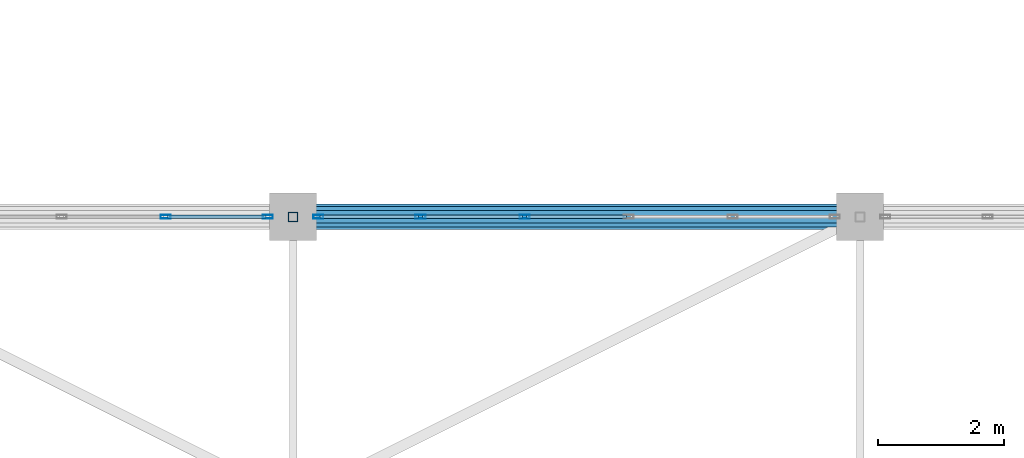
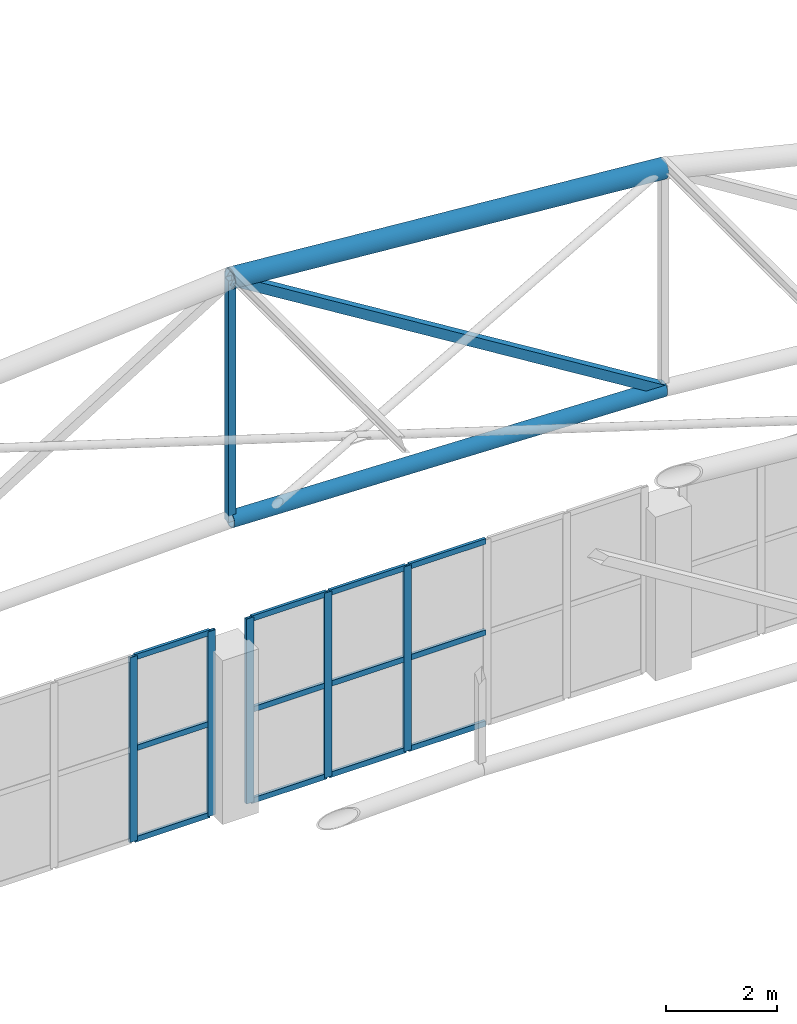
# One storey, part 110 of 167: 21 members, 2 elements without a shape of their own.
"""IFC4 building model written with IfcOpenShell, lengths in metres."""

from ifc_helpers import new_model, si_unit, direction, frame, origin, origin_2d, place, context, subcontext, project, spatial, hollow_rectangle, hollow_circle, extrude, material, layer, layer_set, material_profile, profile_set, type_object, element, aggregate, save


model = new_model("IFC4")

# Units and contexts
model_context = context("Model", 3, precision=1e-05, world=origin(), true_north=direction((0.0, 1.0)))
body_context = subcontext(model_context, "Body", "Model", "MODEL_VIEW")
ifc_project = project(units=[si_unit("LENGTHUNIT", "METRE"), si_unit("AREAUNIT", "SQUARE_METRE"), si_unit("VOLUMEUNIT", "CUBIC_METRE"), si_unit("PLANEANGLEUNIT", "RADIAN"), si_unit("MASSUNIT", "GRAM", prefix="KILO")], contexts=[model_context])

# Site, building, storey
site_placement = place(None, origin())
site = spatial("IfcSite", under=ifc_project, at=site_placement, CompositionType="ELEMENT")
building_placement = place(site_placement, origin())
building = spatial("IfcBuilding", under=site, at=building_placement, Name="Dornveld Trade and Exhibition Forum", CompositionType="ELEMENT")
storey_placement = place(building_placement, frame((0.0, 0.0, 16.800048828125)))
storey = spatial("IfcBuildingStorey", under=building, at=storey_placement, Name="L03", CompositionType="ELEMENT", Elevation=16.800048828125)

# Curtain wall, members
ifc_material_1 = material(Name="Dark-bronze anodised aluminium and low-E glass", Category="aluminium")
ifc_layer_1 = layer(ifc_material_1, 0.196044921875)
ifc_layer_set_1 = layer_set([ifc_layer_1], Name="Dark-bronze anodised aluminium and low-E glass")
curtain_wall_type_1 = type_object("IfcCurtainWallType", Name="CW-SYS-18", PredefinedType="USERDEFINED", material=ifc_layer_set_1)
curtain_wall_1_placement = place(storey_placement, origin())
curtain_wall_1 = element("IfcCurtainWall", 1, at=curtain_wall_1_placement, inside=storey, type_object=curtain_wall_type_1, Name="L03 unitised curtain wall 36", ObjectType="UNITISED_CURTAIN_WALL", PredefinedType="USERDEFINED")
ifc_material_2 = material(Name="Dark-bronze anodised aluminium", Category="aluminium")
ifc_material_profile_1 = material_profile(ifc_material_2, hollow_rectangle(XDim=0.06005859375, YDim=0.159912109375, WallThickness=0.00390625, at=origin_2d()), Name="RHS 160x60x4")
ifc_profile_set_1 = profile_set([ifc_material_profile_1], Name="Dark-bronze anodised aluminium")
member_type_1 = type_object("IfcMemberType", Name="CW-MUL-160", PredefinedType="MULLION", material=ifc_profile_set_1)
member_1_placement = place(storey_placement, frame((53.59912109375, 135.0, -0.004150390625), z_axis=(0.0, 0.0, 1.0), x_axis=(0.0, -1.0, 0.0)))
member_1 = element("IfcMember", 2, at=member_1_placement, type_object=member_type_1, Name="CW-18 mullion 1", PredefinedType="MULLION", context=body_context, shape_type="SweptSolid", body=[
    extrude(hollow_rectangle(XDim=0.06005859375, YDim=0.159912109375, WallThickness=0.00390625, at=origin_2d()), origin(), (0.0, 0.0, 1.0), 4.064208984375),
])
member_2_placement = place(storey_placement, frame((51.977294921875, 135.0, -0.004150390625), z_axis=(0.0, 0.0, 1.0), x_axis=(0.0, -1.0, 0.0)))
member_2 = element("IfcMember", 3, at=member_2_placement, type_object=member_type_1, Name="CW-18 mullion 2", PredefinedType="MULLION", context=body_context, shape_type="SweptSolid", body=[
    extrude(hollow_rectangle(XDim=0.06005859375, YDim=0.159912109375, WallThickness=0.00390625, at=origin_2d()), origin(), (0.0, 0.0, 1.0), 4.064208984375),
])

ifc_material_3 = material(Name="Dark-bronze anodised aluminium and low-E glass", Category="aluminium")
ifc_layer_2 = layer(ifc_material_3, 0.14794921875)
ifc_layer_set_2 = layer_set([ifc_layer_2], Name="Dark-bronze anodised aluminium and low-E glass")
curtain_wall_type_2 = type_object("IfcCurtainWallType", Name="CW-SYS-02", PredefinedType="USERDEFINED", material=ifc_layer_set_2)
curtain_wall_2_placement = place(storey_placement, origin())
curtain_wall_2 = element("IfcCurtainWall", 4, at=curtain_wall_2_placement, inside=storey, type_object=curtain_wall_type_2, Name="L03 unitised curtain wall 38", ObjectType="UNITISED_CURTAIN_WALL", PredefinedType="USERDEFINED")
member_3_placement = place(storey_placement, frame((57.67431640625, 135.0, -0.004150390625), z_axis=(0.0, 0.0, 1.0), x_axis=(0.0, -1.0, 0.0)))
member_3 = element("IfcMember", 5, at=member_3_placement, type_object=member_type_1, Name="CW-02 mullion 4", PredefinedType="MULLION", context=body_context, shape_type="SweptSolid", body=[
    extrude(hollow_rectangle(XDim=0.06005859375, YDim=0.159912109375, WallThickness=0.00390625, at=origin_2d()), origin(), (0.0, 0.0, 1.0), 4.064208984375),
])
member_4_placement = place(storey_placement, frame((56.022705078125, 135.0, -0.004150390625), z_axis=(0.0, 0.0, 1.0), x_axis=(0.0, -1.0, 0.0)))
member_4 = element("IfcMember", 6, at=member_4_placement, type_object=member_type_1, Name="CW-02 mullion 5", PredefinedType="MULLION", context=body_context, shape_type="SweptSolid", body=[
    extrude(hollow_rectangle(XDim=0.06005859375, YDim=0.159912109375, WallThickness=0.00390625, at=origin_2d()), origin(), (0.0, 0.0, 1.0), 4.064208984375),
])
member_5_placement = place(storey_placement, frame((54.40087890625, 135.0, -0.004150390625), z_axis=(0.0, 0.0, 1.0), x_axis=(0.0, -1.0, 0.0)))
member_5 = element("IfcMember", 7, at=member_5_placement, type_object=member_type_1, Name="CW-02 mullion 6", PredefinedType="MULLION", context=body_context, shape_type="SweptSolid", body=[
    extrude(hollow_rectangle(XDim=0.06005859375, YDim=0.159912109375, WallThickness=0.00390625, at=origin_2d()), origin(), (0.0, 0.0, 1.0), 4.064208984375),
])

# Member
ifc_material_4 = material(Name="Dark-bronze anodised aluminium", Category="aluminium")
ifc_material_profile_2 = material_profile(ifc_material_4, hollow_rectangle(XDim=0.06005859375, YDim=0.1201171875, WallThickness=0.00390625, at=origin_2d()), Name="RHS 120x60x4")
ifc_profile_set_2 = profile_set([ifc_material_profile_2], Name="Dark-bronze anodised aluminium")
member_type_2 = type_object("IfcMemberType", Name="CW-TRN-120", PredefinedType="USERDEFINED", material=ifc_profile_set_2)
member_6_placement = place(storey_placement, frame((53.569091796875, 135.0, 0.02587890625), z_axis=(-1.0, 0.0, 0.0), x_axis=(0.0, -1.0, 0.0)))
member_6 = element("IfcMember", 8, at=member_6_placement, type_object=member_type_2, Name="CW-18 transom 1.1", ObjectType="TRANSOM", PredefinedType="USERDEFINED", context=body_context, shape_type="SweptSolid", body=[
    extrude(hollow_rectangle(XDim=0.06005859375, YDim=0.1201171875, WallThickness=0.00390625, at=origin_2d()), origin(), (0.0, 0.0, 1.0), 1.561767578125),
])

member_7_placement = place(storey_placement, frame((53.569091796875, 135.0, 2.02783203125), z_axis=(-1.0, 0.0, 0.0), x_axis=(0.0, -1.0, 0.0)))
member_7 = element("IfcMember", 9, at=member_7_placement, type_object=member_type_2, Name="CW-18 transom 1.2", ObjectType="TRANSOM", PredefinedType="USERDEFINED", context=body_context, shape_type="SweptSolid", body=[
    extrude(hollow_rectangle(XDim=0.06005859375, YDim=0.1201171875, WallThickness=0.00390625, at=origin_2d()), origin(), (0.0, 0.0, 1.0), 1.561767578125),
])

member_8_placement = place(storey_placement, frame((53.569091796875, 135.0, 4.030029296875), z_axis=(-1.0, 0.0, 0.0), x_axis=(0.0, -1.0, 0.0)))
member_8 = element("IfcMember", 10, at=member_8_placement, type_object=member_type_2, Name="CW-18 transom 1.3", ObjectType="TRANSOM", PredefinedType="USERDEFINED", context=body_context, shape_type="SweptSolid", body=[
    extrude(hollow_rectangle(XDim=0.06005859375, YDim=0.1201171875, WallThickness=0.00390625, at=origin_2d()), origin(), (0.0, 0.0, 1.0), 1.561767578125),
])

aggregate(curtain_wall_1, [member_1, member_2, member_6, member_7, member_8])

member_9_placement = place(storey_placement, frame((59.2958984375, 135.0, 0.02587890625), z_axis=(-1.0, 0.0, 0.0), x_axis=(0.0, -1.0, 0.0)))
member_9 = element("IfcMember", 11, at=member_9_placement, type_object=member_type_2, Name="CW-02 transom 3.1", ObjectType="TRANSOM", PredefinedType="USERDEFINED", context=body_context, shape_type="SweptSolid", body=[
    extrude(hollow_rectangle(XDim=0.06005859375, YDim=0.1201171875, WallThickness=0.00390625, at=origin_2d()), origin(), (0.0, 0.0, 1.0), 1.591796875),
])

member_10_placement = place(storey_placement, frame((59.2958984375, 135.0, 2.02783203125), z_axis=(-1.0, 0.0, 0.0), x_axis=(0.0, -1.0, 0.0)))
member_10 = element("IfcMember", 12, at=member_10_placement, type_object=member_type_2, Name="CW-02 transom 3.2", ObjectType="TRANSOM", PredefinedType="USERDEFINED", context=body_context, shape_type="SweptSolid", body=[
    extrude(hollow_rectangle(XDim=0.06005859375, YDim=0.1201171875, WallThickness=0.00390625, at=origin_2d()), origin(), (0.0, 0.0, 1.0), 1.591796875),
])

member_11_placement = place(storey_placement, frame((59.2958984375, 135.0, 4.030029296875), z_axis=(-1.0, 0.0, 0.0), x_axis=(0.0, -1.0, 0.0)))
member_11 = element("IfcMember", 13, at=member_11_placement, type_object=member_type_2, Name="CW-02 transom 3.3", ObjectType="TRANSOM", PredefinedType="USERDEFINED", context=body_context, shape_type="SweptSolid", body=[
    extrude(hollow_rectangle(XDim=0.06005859375, YDim=0.1201171875, WallThickness=0.00390625, at=origin_2d()), origin(), (0.0, 0.0, 1.0), 1.591796875),
])

member_12_placement = place(storey_placement, frame((57.644287109375, 135.0, 0.02587890625), z_axis=(-1.0, 0.0, 0.0), x_axis=(0.0, -1.0, 0.0)))
member_12 = element("IfcMember", 14, at=member_12_placement, type_object=member_type_2, Name="CW-02 transom 4.1", ObjectType="TRANSOM", PredefinedType="USERDEFINED", context=body_context, shape_type="SweptSolid", body=[
    extrude(hollow_rectangle(XDim=0.06005859375, YDim=0.1201171875, WallThickness=0.00390625, at=origin_2d()), origin(), (0.0, 0.0, 1.0), 1.591796875),
])

member_13_placement = place(storey_placement, frame((57.644287109375, 135.0, 2.02783203125), z_axis=(-1.0, 0.0, 0.0), x_axis=(0.0, -1.0, 0.0)))
member_13 = element("IfcMember", 15, at=member_13_placement, type_object=member_type_2, Name="CW-02 transom 4.2", ObjectType="TRANSOM", PredefinedType="USERDEFINED", context=body_context, shape_type="SweptSolid", body=[
    extrude(hollow_rectangle(XDim=0.06005859375, YDim=0.1201171875, WallThickness=0.00390625, at=origin_2d()), origin(), (0.0, 0.0, 1.0), 1.591796875),
])

member_14_placement = place(storey_placement, frame((57.644287109375, 135.0, 4.030029296875), z_axis=(-1.0, 0.0, 0.0), x_axis=(0.0, -1.0, 0.0)))
member_14 = element("IfcMember", 16, at=member_14_placement, type_object=member_type_2, Name="CW-02 transom 4.3", ObjectType="TRANSOM", PredefinedType="USERDEFINED", context=body_context, shape_type="SweptSolid", body=[
    extrude(hollow_rectangle(XDim=0.06005859375, YDim=0.1201171875, WallThickness=0.00390625, at=origin_2d()), origin(), (0.0, 0.0, 1.0), 1.591796875),
])

member_15_placement = place(storey_placement, frame((55.99267578125, 135.0, 0.02587890625), z_axis=(-1.0, 0.0, 0.0), x_axis=(0.0, -1.0, 0.0)))
member_15 = element("IfcMember", 17, at=member_15_placement, type_object=member_type_2, Name="CW-02 transom 5.1", ObjectType="TRANSOM", PredefinedType="USERDEFINED", context=body_context, shape_type="SweptSolid", body=[
    extrude(hollow_rectangle(XDim=0.06005859375, YDim=0.1201171875, WallThickness=0.00390625, at=origin_2d()), origin(), (0.0, 0.0, 1.0), 1.561767578125),
])

member_16_placement = place(storey_placement, frame((55.99267578125, 135.0, 2.02783203125), z_axis=(-1.0, 0.0, 0.0), x_axis=(0.0, -1.0, 0.0)))
member_16 = element("IfcMember", 18, at=member_16_placement, type_object=member_type_2, Name="CW-02 transom 5.2", ObjectType="TRANSOM", PredefinedType="USERDEFINED", context=body_context, shape_type="SweptSolid", body=[
    extrude(hollow_rectangle(XDim=0.06005859375, YDim=0.1201171875, WallThickness=0.00390625, at=origin_2d()), origin(), (0.0, 0.0, 1.0), 1.561767578125),
])

member_17_placement = place(storey_placement, frame((55.99267578125, 135.0, 4.030029296875), z_axis=(-1.0, 0.0, 0.0), x_axis=(0.0, -1.0, 0.0)))
member_17 = element("IfcMember", 19, at=member_17_placement, type_object=member_type_2, Name="CW-02 transom 5.3", ObjectType="TRANSOM", PredefinedType="USERDEFINED", context=body_context, shape_type="SweptSolid", body=[
    extrude(hollow_rectangle(XDim=0.06005859375, YDim=0.1201171875, WallThickness=0.00390625, at=origin_2d()), origin(), (0.0, 0.0, 1.0), 1.561767578125),
])

aggregate(curtain_wall_2, [member_3, member_4, member_5, member_9, member_10, member_11, member_12, member_13, member_14, member_15, member_16, member_17])

# Members
ifc_material_5 = material(Name="Steel S355J2", Category="steel")
ifc_material_profile_3 = material_profile(ifc_material_5, hollow_circle(Radius=0.161865234375, WallThickness=0.01611328125, at=origin_2d()), Name="CHS 323.9x16")
ifc_profile_set_3 = profile_set([ifc_material_profile_3], Name="Steel S355J2")
member_type_3 = type_object("IfcMemberType", Name="MEM-ARCH-BC", PredefinedType="CHORD", material=ifc_profile_set_3)
member_18_placement = place(storey_placement, frame((54.0, 135.0, 6.349853515625), z_axis=(0.999561545365, 0.0, -0.029609407757), x_axis=(0.0, 1.0, 0.0)))
element("IfcMember", 20, at=member_18_placement, inside=storey, type_object=member_type_3, Name="H3 truss 12 tie chord 4", PredefinedType="CHORD", context=body_context, shape_type="SweptSolid", body=[
    extrude(hollow_circle(Radius=0.161865234375, WallThickness=0.01611328125, at=origin_2d()), origin(), (0.0, 0.0, 1.0), 9.00390625),
])
ifc_material_6 = material(Name="Steel S355J2", Category="steel")
ifc_material_profile_4 = material_profile(ifc_material_6, hollow_rectangle(XDim=0.14990234375, YDim=0.14990234375, WallThickness=0.008056640625, at=origin_2d()), Name="SHS 150x150x8")
ifc_profile_set_4 = profile_set([ifc_material_profile_4], Name="Steel S355J2")
member_type_4 = type_object("IfcMemberType", Name="MEM-ARCH-STR", PredefinedType="STRUT", material=ifc_profile_set_4)
member_19_placement = place(storey_placement, frame((54.0, 135.0, 6.349853515625), z_axis=(0.0, 0.0, 1.0), x_axis=(1.0, 0.0, 0.0)))
element("IfcMember", 21, at=member_19_placement, inside=storey, type_object=member_type_4, Name="H3 truss 12 strut 4", PredefinedType="STRUT", context=body_context, shape_type="SweptSolid", body=[
    extrude(hollow_rectangle(XDim=0.14990234375, YDim=0.14990234375, WallThickness=0.008056640625, at=origin_2d()), origin(), (0.0, 0.0, 1.0), 5.300048828125),
])
ifc_material_7 = material(Name="Steel S355J2", Category="steel")
ifc_material_profile_5 = material_profile(ifc_material_7, hollow_circle(Radius=0.203125, WallThickness=0.02001953125, at=origin_2d()), Name="CHS 406.4x20")
ifc_profile_set_5 = profile_set([ifc_material_profile_5], Name="Steel S355J2")
member_type_5 = type_object("IfcMemberType", Name="MEM-ARCH-TC", PredefinedType="CHORD", material=ifc_profile_set_5)
member_20_placement = place(storey_placement, frame((54.0, 135.0, 11.64990234375), z_axis=(0.996698427641, 0.0, -0.081192637213), x_axis=(0.0, 1.0, 0.0)))
element("IfcMember", 22, at=member_20_placement, inside=storey, type_object=member_type_5, Name="H3 truss 12 top chord 4", PredefinedType="CHORD", context=body_context, shape_type="SweptSolid", body=[
    extrude(hollow_circle(Radius=0.203125, WallThickness=0.02001953125, at=origin_2d()), origin(), (0.0, 0.0, 1.0), 9.02978515625),
])
ifc_material_8 = material(Name="Steel S355J2", Category="steel")
ifc_material_profile_6 = material_profile(ifc_material_8, hollow_rectangle(XDim=0.199951171875, YDim=0.199951171875, WallThickness=0.010009765625, at=origin_2d()), Name="SHS 200x200x10")
ifc_profile_set_6 = profile_set([ifc_material_profile_6], Name="Steel S355J2")
member_type_6 = type_object("IfcMemberType", Name="MEM-ARCH-WEB", PredefinedType="BRACE", material=ifc_profile_set_6)
member_21_placement = place(storey_placement, frame((63.0, 135.0, 6.083251953125), z_axis=(-0.850467158024, 0.0, 0.526028148603), x_axis=(0.0, -1.0, 0.0)))
element("IfcMember", 23, at=member_21_placement, inside=storey, type_object=member_type_6, Name="H3 truss 12 web 4", PredefinedType="BRACE", context=body_context, shape_type="SweptSolid", body=[
    extrude(hollow_rectangle(XDim=0.199951171875, YDim=0.199951171875, WallThickness=0.010009765625, at=origin_2d()), origin(), (0.0, 0.0, 1.0), 10.58251953125),
])

save(model, "model.ifc")
